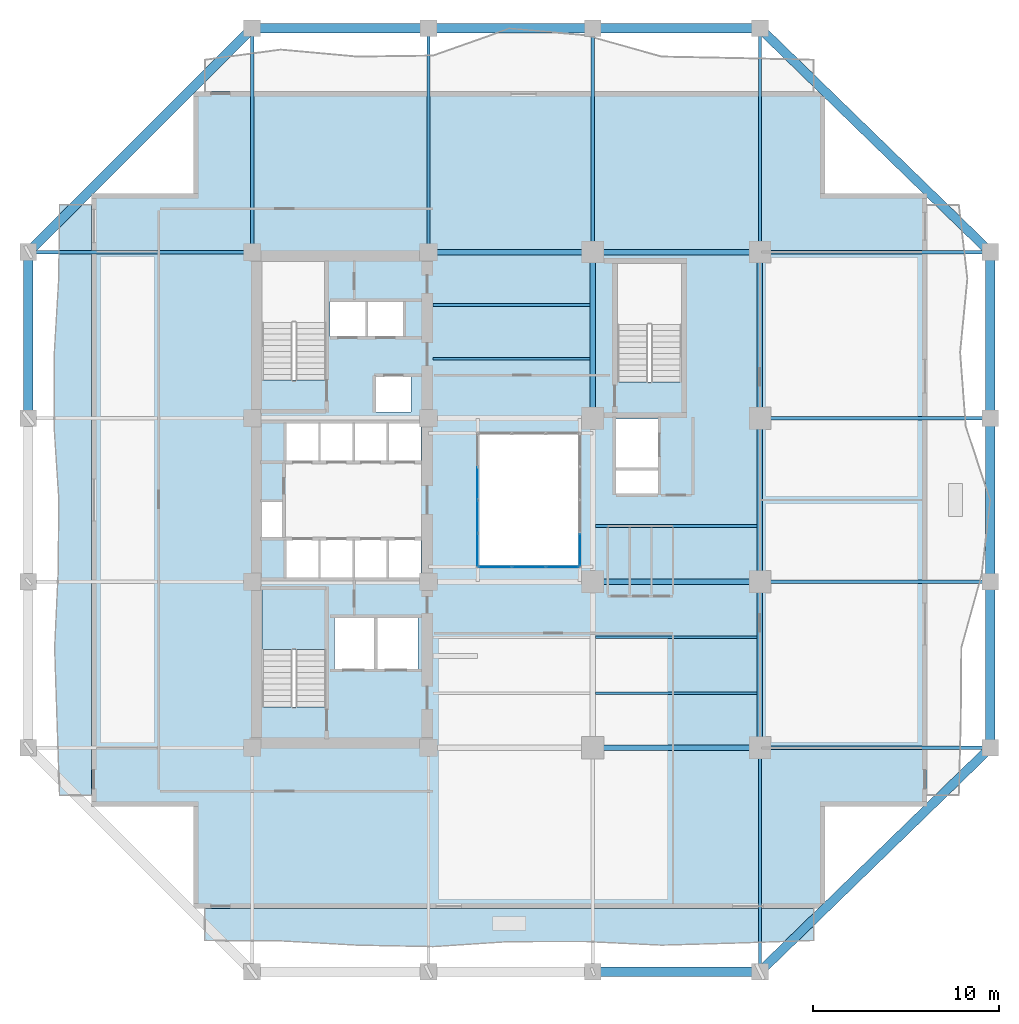
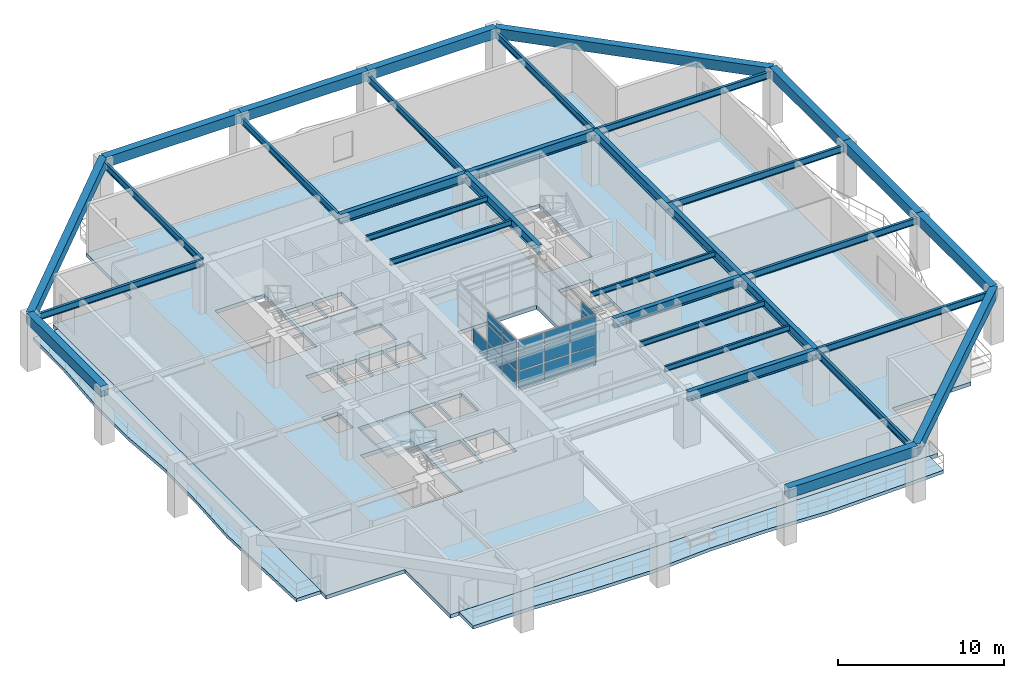
# One storey, part 5 of 17: 34 beams, 19 plates, 4 slabs, 4 elements without a shape of their own.
"""IFC4 building model written with IfcOpenShell, lengths in metres."""

from ifc_helpers import new_model, si_unit, direction, frame, origin, origin_2d, place, context, subcontext, project, spatial, polyline, rectangle, i_section, outline, extrude, material, layer, layer_set, material_profile, profile_set, type_object, element, aggregate, save


model = new_model("IFC4")

# Units and contexts
model_context = context("Model", 3, precision=1e-05, world=origin(), true_north=direction((0.0, 1.0)))
body_context = subcontext(model_context, "Body", "Model", "MODEL_VIEW")
ifc_project = project(units=[si_unit("LENGTHUNIT", "METRE"), si_unit("AREAUNIT", "SQUARE_METRE"), si_unit("VOLUMEUNIT", "CUBIC_METRE"), si_unit("PLANEANGLEUNIT", "RADIAN"), si_unit("MASSUNIT", "GRAM", prefix="KILO")], contexts=[model_context])

# Site, building, storey
site_placement = place(None, origin())
site = spatial("IfcSite", under=ifc_project, at=site_placement, CompositionType="ELEMENT")
building_placement = place(site_placement, origin())
building = spatial("IfcBuilding", under=site, at=building_placement, Name="Kundavana Baori Tower", CompositionType="ELEMENT")
storey_placement = place(building_placement, frame((0.0, 0.0, 26.0)))
storey = spatial("IfcBuildingStorey", under=building, at=storey_placement, Name="L05", CompositionType="ELEMENT", Elevation=26.0)

# Beams
ifc_material_1 = material(Name="Structural Steel S355JR", Category="steel")
ifc_material_profile_1 = material_profile(ifc_material_1, i_section(OverallWidth=0.139892578125, OverallDepth=0.39990234375, WebThickness=0.0087890625, FlangeThickness=0.01611328125, FilletRadius=0.013916015625, at=origin_2d()), Name="ISMB 400")
ifc_profile_set_1 = profile_set([ifc_material_profile_1], Name="Structural Steel S355JR")
beam_type_1 = type_object("IfcBeamType", Name="BM-JST-400", PredefinedType="JOIST", material=ifc_profile_set_1)
for number, where, z_axis, x_axis, name in (
    (1, (25.179931640625, 36.199951171875, 3.52001953125), (1.0, 0.0, 0.0), (0.0, 1.0, 0.0), "L05 Central Bay Composite Floor Joist C3"),
    (2, (25.179931640625, 39.10009765625, 3.52001953125), (1.0, 0.0, 0.0), (0.0, 1.0, 0.0), "L05 Central Bay Composite Floor Joist C4"),
):
    element("IfcBeam", number, at=place(storey_placement, frame(where, z_axis=z_axis, x_axis=x_axis)), inside=storey, type_object=beam_type_1, Name=name, PredefinedType="JOIST", context=body_context, shape_type="SweptSolid", body=[
        extrude(i_section(OverallWidth=0.139892578125, OverallDepth=0.39990234375, WebThickness=0.0087890625, FlangeThickness=0.01611328125, FilletRadius=0.013916015625, at=origin_2d()), origin(), (0.0, 0.0, 1.0), 8.469970703125),
    ])
for number, where, z_axis, x_axis, name in (
    (3, (33.949951171875, 18.199951171875, 3.52001953125), (1.0, 0.0, 0.0), (0.0, 1.0, 0.0), "L05 East Bay Composite Floor Joist E1"),
    (4, (33.949951171875, 21.199951171875, 3.52001953125), (1.0, 0.0, 0.0), (0.0, 1.0, 0.0), "L05 East Bay Composite Floor Joist E2"),
    (5, (33.949951171875, 27.199951171875, 3.52001953125), (1.0, 0.0, 0.0), (0.0, 1.0, 0.0), "L05 East Bay Composite Floor Joist E3"),
):
    element("IfcBeam", number, at=place(storey_placement, frame(where, z_axis=z_axis, x_axis=x_axis)), inside=storey, type_object=beam_type_1, Name=name, PredefinedType="JOIST", context=body_context, shape_type="SweptSolid", body=[
        extrude(i_section(OverallWidth=0.139892578125, OverallDepth=0.39990234375, WebThickness=0.0087890625, FlangeThickness=0.01611328125, FilletRadius=0.013916015625, at=origin_2d()), origin(), (0.0, 0.0, 1.0), 8.699951171875),
    ])
ifc_material_2 = material(Name="Concrete C50/60", Category="concrete")
ifc_material_profile_2 = material_profile(ifc_material_2, rectangle(XDim=0.5, YDim=0.75, at=origin_2d()), Name="RC BM 500x750")
ifc_profile_set_2 = profile_set([ifc_material_profile_2], Name="Concrete C50/60")
beam_type_2 = type_object("IfcBeamType", Name="BM-PF-750", PredefinedType="SPANDREL", material=ifc_profile_set_2)
beam_1_placement = place(storey_placement, frame((33.800048828125, 3.199951171875, 3.625), z_axis=(1.0, 0.0, 0.0), x_axis=(0.0, 1.0, 0.0)))
element("IfcBeam", 6, at=beam_1_placement, inside=storey, type_object=beam_type_2, Name="L05 Perimeter Frame Ring Beam S3", PredefinedType="SPANDREL", context=body_context, shape_type="SweptSolid", body=[
    extrude(rectangle(XDim=0.5, YDim=0.75, at=origin_2d()), origin(), (0.0, 0.0, 1.0), 9.0),
])
beam_2_placement = place(storey_placement, frame((15.449951171875, 54.0, 3.625), z_axis=(1.0, 0.0, 0.0), x_axis=(0.0, 1.0, 0.0)))
element("IfcBeam", 7, at=beam_2_placement, inside=storey, type_object=beam_type_2, Name="L05 Perimeter Frame Ring Beam N1", PredefinedType="SPANDREL", context=body_context, shape_type="SweptSolid", body=[
    extrude(rectangle(XDim=0.5, YDim=0.75, at=origin_2d()), origin(), (0.0, 0.0, 1.0), 9.5),
])
beam_3_placement = place(storey_placement, frame((24.949951171875, 54.0, 3.625), z_axis=(1.0, 0.0, 0.0), x_axis=(0.0, 1.0, 0.0)))
element("IfcBeam", 8, at=beam_3_placement, inside=storey, type_object=beam_type_2, Name="L05 Perimeter Frame Ring Beam N2", PredefinedType="SPANDREL", context=body_context, shape_type="SweptSolid", body=[
    extrude(rectangle(XDim=0.5, YDim=0.75, at=origin_2d()), origin(), (0.0, 0.0, 1.0), 8.85009765625),
])
beam_4_placement = place(storey_placement, frame((33.800048828125, 54.0, 3.625), z_axis=(1.0, 0.0, 0.0), x_axis=(0.0, 1.0, 0.0)))
element("IfcBeam", 9, at=beam_4_placement, inside=storey, type_object=beam_type_2, Name="L05 Perimeter Frame Ring Beam N3", PredefinedType="SPANDREL", context=body_context, shape_type="SweptSolid", body=[
    extrude(rectangle(XDim=0.5, YDim=0.75, at=origin_2d()), origin(), (0.0, 0.0, 1.0), 9.0),
])
for number, where, z_axis, x_axis, name in (
    (10, (3.39990234375, 33.0, 3.625), (0.0, 1.0, 0.0), (-1.0, 0.0, 0.0), "L05 Perimeter Frame Ring Beam W3"),
    (11, (55.199951171875, 15.25, 3.625), (0.0, 1.0, 0.0), (-1.0, 0.0, 0.0), "L05 Perimeter Frame Ring Beam E1"),
):
    element("IfcBeam", number, at=place(storey_placement, frame(where, z_axis=z_axis, x_axis=x_axis)), inside=storey, type_object=beam_type_2, Name=name, PredefinedType="SPANDREL", context=body_context, shape_type="SweptSolid", body=[
        extrude(rectangle(XDim=0.5, YDim=0.75, at=origin_2d()), origin(), (0.0, 0.0, 1.0), 8.949951171875),
    ])
beam_5_placement = place(storey_placement, frame((55.199951171875, 24.199951171875, 3.625), z_axis=(0.0, 1.0, 0.0), x_axis=(-1.0, 0.0, 0.0)))
element("IfcBeam", 12, at=beam_5_placement, inside=storey, type_object=beam_type_2, Name="L05 Perimeter Frame Ring Beam E2", PredefinedType="SPANDREL", context=body_context, shape_type="SweptSolid", body=[
    extrude(rectangle(XDim=0.5, YDim=0.75, at=origin_2d()), origin(), (0.0, 0.0, 1.0), 8.800048828125),
])
beam_6_placement = place(storey_placement, frame((55.199951171875, 33.0, 3.625), z_axis=(0.0, 1.0, 0.0), x_axis=(-1.0, 0.0, 0.0)))
element("IfcBeam", 13, at=beam_6_placement, inside=storey, type_object=beam_type_2, Name="L05 Perimeter Frame Ring Beam E3", PredefinedType="SPANDREL", context=body_context, shape_type="SweptSolid", body=[
    extrude(rectangle(XDim=0.5, YDim=0.75, at=origin_2d()), origin(), (0.0, 0.0, 1.0), 8.949951171875),
])
beam_7_placement = place(storey_placement, frame((42.800048828125, 3.199951171875, 3.625), z_axis=(0.717151334594, 0.696917472367, 0.0), x_axis=(-0.696917472367, 0.717151334594, 0.0)))
element("IfcBeam", 14, at=beam_7_placement, inside=storey, type_object=beam_type_2, Name="L05 Notched Corner Perimeter Beam SE", PredefinedType="SPANDREL", context=body_context, shape_type="SweptSolid", body=[
    extrude(rectangle(XDim=0.5, YDim=0.75, at=origin_2d()), origin(), (0.0, 0.0, 1.0), 17.29052734375),
])
beam_8_placement = place(storey_placement, frame((15.449951171875, 54.0, 3.625), z_axis=(-0.707106781187, -0.707106781187, 0.0), x_axis=(0.707106781187, -0.707106781187, 0.0)))
element("IfcBeam", 15, at=beam_8_placement, inside=storey, type_object=beam_type_2, Name="L05 Notched Corner Perimeter Beam NW", PredefinedType="SPANDREL", context=body_context, shape_type="SweptSolid", body=[
    extrude(rectangle(XDim=0.5, YDim=0.75, at=origin_2d()), origin(), (0.0, 0.0, 1.0), 17.041259765625),
])
beam_9_placement = place(storey_placement, frame((42.800048828125, 54.0, 3.625), z_axis=(0.717151334594, -0.696917472367, 0.0), x_axis=(0.696917472367, 0.717151334594, 0.0)))
element("IfcBeam", 16, at=beam_9_placement, inside=storey, type_object=beam_type_2, Name="L05 Notched Corner Perimeter Beam NE", PredefinedType="SPANDREL", context=body_context, shape_type="SweptSolid", body=[
    extrude(rectangle(XDim=0.5, YDim=0.75, at=origin_2d()), origin(), (0.0, 0.0, 1.0), 17.29052734375),
])
ifc_material_3 = material(Name="Structural Steel S355JR", Category="steel")
ifc_material_profile_3 = material_profile(ifc_material_3, i_section(OverallWidth=0.300048828125, OverallDepth=0.699951171875, WebThickness=0.014404296875, FlangeThickness=0.02392578125, FilletRadius=0.02392578125, at=origin_2d()), Name="NPB 700x300x170")
ifc_profile_set_3 = profile_set([ifc_material_profile_3], Name="Structural Steel S355JR")
beam_type_3 = type_object("IfcBeamType", Name="BM-ST-700", PredefinedType="BEAM", material=ifc_profile_set_3)
for number, where, z_axis, x_axis, name in (
    (17, (33.800048828125, 15.25, 3.3701171875), (1.0, 0.0, 0.0), (0.0, 1.0, 0.0), "L05 Primary Grid Girder GX-1-3"),
    (18, (33.800048828125, 24.199951171875, 3.3701171875), (1.0, 0.0, 0.0), (0.0, 1.0, 0.0), "L05 Primary Grid Girder GX-2-3"),
):
    element("IfcBeam", number, at=place(storey_placement, frame(where, z_axis=z_axis, x_axis=x_axis)), inside=storey, type_object=beam_type_3, Name=name, PredefinedType="BEAM", context=body_context, shape_type="SweptSolid", body=[
        extrude(i_section(OverallWidth=0.300048828125, OverallDepth=0.699951171875, WebThickness=0.014404296875, FlangeThickness=0.02392578125, FilletRadius=0.02392578125, at=origin_2d()), origin(), (0.0, 0.0, 1.0), 9.0),
    ])
beam_10_placement = place(storey_placement, frame((24.949951171875, 41.949951171875, 3.3701171875), z_axis=(1.0, 0.0, 0.0), x_axis=(0.0, 1.0, 0.0)))
element("IfcBeam", 19, at=beam_10_placement, inside=storey, type_object=beam_type_3, Name="L05 Primary Grid Girder GX-4-2", PredefinedType="BEAM", context=body_context, shape_type="SweptSolid", body=[
    extrude(i_section(OverallWidth=0.300048828125, OverallDepth=0.699951171875, WebThickness=0.014404296875, FlangeThickness=0.02392578125, FilletRadius=0.02392578125, at=origin_2d()), origin(), (0.0, 0.0, 1.0), 8.85009765625),
])
beam_11_placement = place(storey_placement, frame((33.800048828125, 41.949951171875, 3.3701171875), z_axis=(1.0, 0.0, 0.0), x_axis=(0.0, 1.0, 0.0)))
element("IfcBeam", 20, at=beam_11_placement, inside=storey, type_object=beam_type_3, Name="L05 Primary Grid Girder GX-4-3", PredefinedType="BEAM", context=body_context, shape_type="SweptSolid", body=[
    extrude(i_section(OverallWidth=0.300048828125, OverallDepth=0.699951171875, WebThickness=0.014404296875, FlangeThickness=0.02392578125, FilletRadius=0.02392578125, at=origin_2d()), origin(), (0.0, 0.0, 1.0), 9.0),
])
for number, where, z_axis, x_axis, name in (
    (21, (33.800048828125, 33.0, 3.3701171875), (0.0, 1.0, 0.0), (-1.0, 0.0, 0.0), "L05 Primary Grid Girder GY-3-3"),
    (22, (42.800048828125, 15.25, 3.3701171875), (0.0, 1.0, 0.0), (-1.0, 0.0, 0.0), "L05 Primary Grid Girder GY-4-1"),
):
    element("IfcBeam", number, at=place(storey_placement, frame(where, z_axis=z_axis, x_axis=x_axis)), inside=storey, type_object=beam_type_3, Name=name, PredefinedType="BEAM", context=body_context, shape_type="SweptSolid", body=[
        extrude(i_section(OverallWidth=0.300048828125, OverallDepth=0.699951171875, WebThickness=0.014404296875, FlangeThickness=0.02392578125, FilletRadius=0.02392578125, at=origin_2d()), origin(), (0.0, 0.0, 1.0), 8.949951171875),
    ])
beam_12_placement = place(storey_placement, frame((42.800048828125, 24.199951171875, 3.3701171875), z_axis=(0.0, 1.0, 0.0), x_axis=(-1.0, 0.0, 0.0)))
element("IfcBeam", 23, at=beam_12_placement, inside=storey, type_object=beam_type_3, Name="L05 Primary Grid Girder GY-4-2", PredefinedType="BEAM", context=body_context, shape_type="SweptSolid", body=[
    extrude(i_section(OverallWidth=0.300048828125, OverallDepth=0.699951171875, WebThickness=0.014404296875, FlangeThickness=0.02392578125, FilletRadius=0.02392578125, at=origin_2d()), origin(), (0.0, 0.0, 1.0), 8.800048828125),
])
beam_13_placement = place(storey_placement, frame((42.800048828125, 33.0, 3.3701171875), z_axis=(0.0, 1.0, 0.0), x_axis=(-1.0, 0.0, 0.0)))
element("IfcBeam", 24, at=beam_13_placement, inside=storey, type_object=beam_type_3, Name="L05 Primary Grid Girder GY-4-3", PredefinedType="BEAM", context=body_context, shape_type="SweptSolid", body=[
    extrude(i_section(OverallWidth=0.300048828125, OverallDepth=0.699951171875, WebThickness=0.014404296875, FlangeThickness=0.02392578125, FilletRadius=0.02392578125, at=origin_2d()), origin(), (0.0, 0.0, 1.0), 8.949951171875),
])
ifc_material_4 = material(Name="Structural Steel S355JR", Category="steel")
ifc_material_profile_4 = material_profile(ifc_material_4, i_section(OverallWidth=0.179931640625, OverallDepth=0.5, WebThickness=0.01025390625, FlangeThickness=0.01708984375, FilletRadius=0.01708984375, at=origin_2d()), Name="ISMB 500")
ifc_profile_set_4 = profile_set([ifc_material_profile_4], Name="Structural Steel S355JR")
beam_type_4 = type_object("IfcBeamType", Name="BM-TIE-500", PredefinedType="BEAM", material=ifc_profile_set_4)
for number, where, z_axis, x_axis, name in (
    (25, (15.449951171875, 41.949951171875, 3.469970703125), (0.0, 1.0, 0.0), (-1.0, 0.0, 0.0), "L05 North Radial Loggia Tie Beam N1"),
    (26, (24.949951171875, 41.949951171875, 3.469970703125), (0.0, 1.0, 0.0), (-1.0, 0.0, 0.0), "L05 North Radial Loggia Tie Beam N2"),
    (27, (33.800048828125, 41.949951171875, 3.469970703125), (0.0, 1.0, 0.0), (-1.0, 0.0, 0.0), "L05 North Radial Loggia Tie Beam N3"),
    (28, (42.800048828125, 15.25, 3.469970703125), (0.0, -1.0, 0.0), (1.0, 0.0, 0.0), "L05 South Radial Loggia Tie Beam S4"),
    (29, (42.800048828125, 41.949951171875, 3.469970703125), (0.0, 1.0, 0.0), (-1.0, 0.0, 0.0), "L05 North Radial Loggia Tie Beam N4"),
):
    element("IfcBeam", number, at=place(storey_placement, frame(where, z_axis=z_axis, x_axis=x_axis)), inside=storey, type_object=beam_type_4, Name=name, PredefinedType="BEAM", context=body_context, shape_type="SweptSolid", body=[
        extrude(i_section(OverallWidth=0.179931640625, OverallDepth=0.5, WebThickness=0.01025390625, FlangeThickness=0.01708984375, FilletRadius=0.01708984375, at=origin_2d()), origin(), (0.0, 0.0, 1.0), 12.050048828125),
    ])
for number, where, z_axis, x_axis, name in (
    (30, (42.800048828125, 15.25, 3.469970703125), (1.0, 0.0, 0.0), (0.0, 1.0, 0.0), "L05 East Radial Loggia Tie Beam E1"),
    (31, (42.800048828125, 24.199951171875, 3.469970703125), (1.0, 0.0, 0.0), (0.0, 1.0, 0.0), "L05 East Radial Loggia Tie Beam E2"),
    (32, (42.800048828125, 33.0, 3.469970703125), (1.0, 0.0, 0.0), (0.0, 1.0, 0.0), "L05 East Radial Loggia Tie Beam E3"),
):
    element("IfcBeam", number, at=place(storey_placement, frame(where, z_axis=z_axis, x_axis=x_axis)), inside=storey, type_object=beam_type_4, Name=name, PredefinedType="BEAM", context=body_context, shape_type="SweptSolid", body=[
        extrude(i_section(OverallWidth=0.179931640625, OverallDepth=0.5, WebThickness=0.01025390625, FlangeThickness=0.01708984375, FilletRadius=0.01708984375, at=origin_2d()), origin(), (0.0, 0.0, 1.0), 12.39990234375),
    ])
beam_14_placement = place(storey_placement, frame((15.449951171875, 41.949951171875, 3.469970703125), z_axis=(-1.0, 0.0, 0.0), x_axis=(0.0, -1.0, 0.0)))
element("IfcBeam", 33, at=beam_14_placement, inside=storey, type_object=beam_type_4, Name="L05 West Radial Loggia Tie Beam W4", PredefinedType="BEAM", context=body_context, shape_type="SweptSolid", body=[
    extrude(i_section(OverallWidth=0.179931640625, OverallDepth=0.5, WebThickness=0.01025390625, FlangeThickness=0.01708984375, FilletRadius=0.01708984375, at=origin_2d()), origin(), (0.0, 0.0, 1.0), 12.050048828125),
])
beam_15_placement = place(storey_placement, frame((42.800048828125, 41.949951171875, 3.469970703125), z_axis=(1.0, 0.0, 0.0), x_axis=(0.0, 1.0, 0.0)))
element("IfcBeam", 34, at=beam_15_placement, inside=storey, type_object=beam_type_4, Name="L05 East Radial Loggia Tie Beam E4", PredefinedType="BEAM", context=body_context, shape_type="SweptSolid", body=[
    extrude(i_section(OverallWidth=0.179931640625, OverallDepth=0.5, WebThickness=0.01025390625, FlangeThickness=0.01708984375, FilletRadius=0.01708984375, at=origin_2d()), origin(), (0.0, 0.0, 1.0), 12.39990234375),
])

# Curtain wall, plates
ifc_material_5 = material(Name="Thermally Broken Anodised Aluminium Framing", Category="aluminium")
ifc_layer_1 = layer(ifc_material_5, 0.18994140625, Name="CW-SYS-3")
ifc_layer_set_1 = layer_set([ifc_layer_1], Name="Thermally Broken Anodised Aluminium Framing")
curtain_wall_type = type_object("IfcCurtainWallType", Name="CW-SYS-3", PredefinedType="NOTDEFINED", material=ifc_layer_set_1)
curtain_wall_1_placement = place(storey_placement, origin())
curtain_wall_1 = element("IfcCurtainWall", 35, at=curtain_wall_1_placement, inside=storey, type_object=curtain_wall_type, Name="L05 Atrium Glazed Curtain Wall S", PredefinedType="NOTDEFINED")
ifc_material_6 = material(Name="Double-Glazed Solar-Control Low-E Insulated Glass", Category="glass")
ifc_layer_2 = layer(ifc_material_6, 0.028076171875, Name="CW-PNL-GLS28")
ifc_layer_set_2 = layer_set([ifc_layer_2], Name="Double-Glazed Solar-Control Low-E Insulated Glass")
plate_type = type_object("IfcPlateType", Name="CW-PNL-GLS28", PredefinedType="CURTAIN_PANEL", material=ifc_layer_set_2)
plate_1_placement = place(storey_placement, frame((28.532958984375, 25.0, 0.06494140625), z_axis=(0.0, 0.0, 1.0), x_axis=(1.0, 0.0, 0.0)))
plate_1 = element("IfcPlate", 36, at=plate_1_placement, type_object=plate_type, Name="CW3 panel 1.1", PredefinedType="CURTAIN_PANEL", context=body_context, shape_type="SweptSolid", body=[
    extrude(rectangle(XDim=1.73583984375, YDim=0.028076171875, at=origin_2d()), origin(), (0.0, 0.0, 1.0), 1.316162109375),
])
plate_2_placement = place(storey_placement, frame((28.532958984375, 25.0, 1.4462890625), z_axis=(0.0, 0.0, 1.0), x_axis=(1.0, 0.0, 0.0)))
plate_2 = element("IfcPlate", 37, at=plate_2_placement, type_object=plate_type, Name="CW3 panel 1.2", PredefinedType="CURTAIN_PANEL", context=body_context, shape_type="SweptSolid", body=[
    extrude(rectangle(XDim=1.73583984375, YDim=0.028076171875, at=origin_2d()), origin(), (0.0, 0.0, 1.0), 1.274169921875),
])
plate_3_placement = place(storey_placement, frame((28.532958984375, 25.0, 2.785400390625), z_axis=(0.0, 0.0, 1.0), x_axis=(1.0, 0.0, 0.0)))
plate_3 = element("IfcPlate", 38, at=plate_3_placement, type_object=plate_type, Name="CW3 panel 1.3", PredefinedType="CURTAIN_PANEL", context=body_context, shape_type="SweptSolid", body=[
    extrude(rectangle(XDim=1.73583984375, YDim=0.028076171875, at=origin_2d()), origin(), (0.0, 0.0, 1.0), 0.86962890625),
])
plate_4_placement = place(storey_placement, frame((30.35009765625, 25.0, 0.06494140625), z_axis=(0.0, 0.0, 1.0), x_axis=(1.0, 0.0, 0.0)))
plate_4 = element("IfcPlate", 39, at=plate_4_placement, type_object=plate_type, Name="CW3 panel 2.1", PredefinedType="CURTAIN_PANEL", context=body_context, shape_type="SweptSolid", body=[
    extrude(rectangle(XDim=1.768310546875, YDim=0.028076171875, at=origin_2d()), origin(), (0.0, 0.0, 1.0), 1.316162109375),
])
plate_5_placement = place(storey_placement, frame((30.35009765625, 25.0, 1.4462890625), z_axis=(0.0, 0.0, 1.0), x_axis=(1.0, 0.0, 0.0)))
plate_5 = element("IfcPlate", 40, at=plate_5_placement, type_object=plate_type, Name="CW3 panel 2.2", PredefinedType="CURTAIN_PANEL", context=body_context, shape_type="SweptSolid", body=[
    extrude(rectangle(XDim=1.768310546875, YDim=0.028076171875, at=origin_2d()), origin(), (0.0, 0.0, 1.0), 1.274169921875),
])
plate_6_placement = place(storey_placement, frame((30.35009765625, 25.0, 2.785400390625), z_axis=(0.0, 0.0, 1.0), x_axis=(1.0, 0.0, 0.0)))
plate_6 = element("IfcPlate", 41, at=plate_6_placement, type_object=plate_type, Name="CW3 panel 2.3", PredefinedType="CURTAIN_PANEL", context=body_context, shape_type="SweptSolid", body=[
    extrude(rectangle(XDim=1.768310546875, YDim=0.028076171875, at=origin_2d()), origin(), (0.0, 0.0, 1.0), 0.86962890625),
])
plate_7_placement = place(storey_placement, frame((32.1669921875, 25.0, 0.06494140625), z_axis=(0.0, 0.0, 1.0), x_axis=(1.0, 0.0, 0.0)))
plate_7 = element("IfcPlate", 42, at=plate_7_placement, type_object=plate_type, Name="CW3 panel 3.1", PredefinedType="CURTAIN_PANEL", context=body_context, shape_type="SweptSolid", body=[
    extrude(rectangle(XDim=1.73583984375, YDim=0.028076171875, at=origin_2d()), origin(), (0.0, 0.0, 1.0), 1.316162109375),
])
plate_8_placement = place(storey_placement, frame((32.1669921875, 25.0, 1.4462890625), z_axis=(0.0, 0.0, 1.0), x_axis=(1.0, 0.0, 0.0)))
plate_8 = element("IfcPlate", 43, at=plate_8_placement, type_object=plate_type, Name="CW3 panel 3.2", PredefinedType="CURTAIN_PANEL", context=body_context, shape_type="SweptSolid", body=[
    extrude(rectangle(XDim=1.73583984375, YDim=0.028076171875, at=origin_2d()), origin(), (0.0, 0.0, 1.0), 1.274169921875),
])
plate_9_placement = place(storey_placement, frame((32.1669921875, 25.0, 2.785400390625), z_axis=(0.0, 0.0, 1.0), x_axis=(1.0, 0.0, 0.0)))
plate_9 = element("IfcPlate", 44, at=plate_9_placement, type_object=plate_type, Name="CW3 panel 3.3", PredefinedType="CURTAIN_PANEL", context=body_context, shape_type="SweptSolid", body=[
    extrude(rectangle(XDim=1.73583984375, YDim=0.028076171875, at=origin_2d()), origin(), (0.0, 0.0, 1.0), 0.86962890625),
])
aggregate(curtain_wall_1, [plate_1, plate_2, plate_3, plate_4, plate_5, plate_6, plate_7, plate_8, plate_9])

curtain_wall_2_placement = place(storey_placement, origin())
curtain_wall_2 = element("IfcCurtainWall", 45, at=curtain_wall_2_placement, inside=storey, type_object=curtain_wall_type, Name="L05 Atrium Glazed Curtain Wall E", PredefinedType="NOTDEFINED")
plate_10_placement = place(storey_placement, frame((33.10009765625, 25.916259765625, 0.06494140625), z_axis=(0.0, 0.0, 1.0), x_axis=(0.0, 1.0, 0.0)))
plate_10 = element("IfcPlate", 46, at=plate_10_placement, type_object=plate_type, Name="CW3 panel 1.1", PredefinedType="CURTAIN_PANEL", context=body_context, shape_type="SweptSolid", body=[
    extrude(rectangle(XDim=1.702392578125, YDim=0.028076171875, at=origin_2d()), origin(), (0.0, 0.0, 1.0), 1.316162109375),
])
plate_11_placement = place(storey_placement, frame((33.10009765625, 25.916259765625, 1.4462890625), z_axis=(0.0, 0.0, 1.0), x_axis=(0.0, 1.0, 0.0)))
plate_11 = element("IfcPlate", 47, at=plate_11_placement, type_object=plate_type, Name="CW3 panel 1.2", PredefinedType="CURTAIN_PANEL", context=body_context, shape_type="SweptSolid", body=[
    extrude(rectangle(XDim=1.702392578125, YDim=0.028076171875, at=origin_2d()), origin(), (0.0, 0.0, 1.0), 1.274169921875),
])
plate_12_placement = place(storey_placement, frame((33.10009765625, 25.916259765625, 2.785400390625), z_axis=(0.0, 0.0, 1.0), x_axis=(0.0, 1.0, 0.0)))
plate_12 = element("IfcPlate", 48, at=plate_12_placement, type_object=plate_type, Name="CW3 panel 1.3", PredefinedType="CURTAIN_PANEL", context=body_context, shape_type="SweptSolid", body=[
    extrude(rectangle(XDim=1.702392578125, YDim=0.028076171875, at=origin_2d()), origin(), (0.0, 0.0, 1.0), 0.86962890625),
])
aggregate(curtain_wall_2, [plate_10, plate_11, plate_12])

curtain_wall_3_placement = place(storey_placement, origin())
curtain_wall_3 = element("IfcCurtainWall", 49, at=curtain_wall_3_placement, inside=storey, type_object=curtain_wall_type, Name="L05 Atrium Glazed Curtain Wall W", PredefinedType="NOTDEFINED")
plate_13_placement = place(storey_placement, frame((27.60009765625, 29.5, 0.06494140625), z_axis=(0.0, 0.0, 1.0), x_axis=(0.0, -1.0, 0.0)))
plate_13 = element("IfcPlate", 50, at=plate_13_placement, type_object=plate_type, Name="CW3 panel 2.1", PredefinedType="CURTAIN_PANEL", context=body_context, shape_type="SweptSolid", body=[
    extrude(rectangle(XDim=1.735107421875, YDim=0.028076171875, at=origin_2d()), origin(), (0.0, 0.0, 1.0), 1.316162109375),
])
plate_14_placement = place(storey_placement, frame((27.60009765625, 27.699951171875, 0.06494140625), z_axis=(0.0, 0.0, 1.0), x_axis=(0.0, -1.0, 0.0)))
plate_14 = element("IfcPlate", 51, at=plate_14_placement, type_object=plate_type, Name="CW3 panel 3.1", PredefinedType="CURTAIN_PANEL", context=body_context, shape_type="SweptSolid", body=[
    extrude(rectangle(XDim=1.735107421875, YDim=0.028076171875, at=origin_2d()), origin(), (0.0, 0.0, 1.0), 1.316162109375),
])
plate_15_placement = place(storey_placement, frame((27.60009765625, 27.699951171875, 1.4462890625), z_axis=(0.0, 0.0, 1.0), x_axis=(0.0, -1.0, 0.0)))
plate_15 = element("IfcPlate", 52, at=plate_15_placement, type_object=plate_type, Name="CW3 panel 3.2", PredefinedType="CURTAIN_PANEL", context=body_context, shape_type="SweptSolid", body=[
    extrude(rectangle(XDim=1.735107421875, YDim=0.028076171875, at=origin_2d()), origin(), (0.0, 0.0, 1.0), 1.274169921875),
])
plate_16_placement = place(storey_placement, frame((27.60009765625, 27.699951171875, 2.785400390625), z_axis=(0.0, 0.0, 1.0), x_axis=(0.0, -1.0, 0.0)))
plate_16 = element("IfcPlate", 53, at=plate_16_placement, type_object=plate_type, Name="CW3 panel 3.3", PredefinedType="CURTAIN_PANEL", context=body_context, shape_type="SweptSolid", body=[
    extrude(rectangle(XDim=1.735107421875, YDim=0.028076171875, at=origin_2d()), origin(), (0.0, 0.0, 1.0), 0.86962890625),
])
plate_17_placement = place(storey_placement, frame((27.60009765625, 25.916259765625, 0.06494140625), z_axis=(0.0, 0.0, 1.0), x_axis=(0.0, -1.0, 0.0)))
plate_17 = element("IfcPlate", 54, at=plate_17_placement, type_object=plate_type, Name="CW3 panel 4.1", PredefinedType="CURTAIN_PANEL", context=body_context, shape_type="SweptSolid", body=[
    extrude(rectangle(XDim=1.702392578125, YDim=0.028076171875, at=origin_2d()), origin(), (0.0, 0.0, 1.0), 1.316162109375),
])
plate_18_placement = place(storey_placement, frame((27.60009765625, 25.916259765625, 1.4462890625), z_axis=(0.0, 0.0, 1.0), x_axis=(0.0, -1.0, 0.0)))
plate_18 = element("IfcPlate", 55, at=plate_18_placement, type_object=plate_type, Name="CW3 panel 4.2", PredefinedType="CURTAIN_PANEL", context=body_context, shape_type="SweptSolid", body=[
    extrude(rectangle(XDim=1.702392578125, YDim=0.028076171875, at=origin_2d()), origin(), (0.0, 0.0, 1.0), 1.274169921875),
])
plate_19_placement = place(storey_placement, frame((27.60009765625, 25.916259765625, 2.785400390625), z_axis=(0.0, 0.0, 1.0), x_axis=(0.0, -1.0, 0.0)))
plate_19 = element("IfcPlate", 56, at=plate_19_placement, type_object=plate_type, Name="CW3 panel 4.3", PredefinedType="CURTAIN_PANEL", context=body_context, shape_type="SweptSolid", body=[
    extrude(rectangle(XDim=1.702392578125, YDim=0.028076171875, at=origin_2d()), origin(), (0.0, 0.0, 1.0), 0.86962890625),
])
aggregate(curtain_wall_3, [plate_13, plate_14, plate_15, plate_16, plate_17, plate_18, plate_19])

# Slab
ifc_material_7 = material(Name="Concrete C40/50", Category="concrete")
ifc_layer_3 = layer(ifc_material_7, 0.280029296875, Name="SLB-FLR-280")
ifc_layer_set_3 = layer_set([ifc_layer_3], Name="Concrete C40/50")
slab_type_1 = type_object("IfcSlabType", Name="SLB-FLR-280", PredefinedType="FLOOR", material=ifc_layer_set_3)
slab_1_placement = place(storey_placement, frame((0.0, 0.0, -0.280029296875)))
element("IfcSlab", 57, at=slab_1_placement, inside=storey, type_object=slab_type_1, Name="L05 Structural Floor Slab", PredefinedType="FLOOR", context=body_context, shape_type="SweptSolid", body=[
    extrude(outline(polyline([(12.300048828125, 6.60009765625), (46.300048828125, 6.60009765625), (46.300048828125, 12.10009765625), (51.800048828125, 12.10009765625), (51.800048828125, 45.10009765625), (46.300048828125, 45.10009765625), (46.300048828125, 50.60009765625), (12.300048828125, 50.60009765625), (12.300048828125, 45.10009765625), (6.800048828125, 45.10009765625), (6.800048828125, 12.10009765625), (12.300048828125, 12.10009765625), (12.300048828125, 6.60009765625)]), holes=[polyline([(19.43994140625, 17.4619140625), (19.43994140625, 23.85009765625), (15.97998046875, 23.85009765625), (15.97998046875, 17.4619140625), (19.43994140625, 17.4619140625)]), polyline([(19.43994140625, 35.06201171875), (19.43994140625, 41.449951171875), (15.97998046875, 41.449951171875), (15.97998046875, 35.06201171875), (19.43994140625, 35.06201171875)]), polyline([(38.580078125, 34.9619140625), (38.580078125, 41.35009765625), (35.1201171875, 41.35009765625), (35.1201171875, 34.9619140625), (38.580078125, 34.9619140625)]), polyline([(17.300048828125, 24.39990234375), (19.02001953125, 24.39990234375), (19.02001953125, 26.449951171875), (17.300048828125, 26.449951171875), (17.300048828125, 24.39990234375)]), polyline([(19.139892578125, 24.39990234375), (20.860107421875, 24.39990234375), (20.860107421875, 26.449951171875), (19.139892578125, 26.449951171875), (19.139892578125, 24.39990234375)]), polyline([(20.97998046875, 24.39990234375), (22.699951171875, 24.39990234375), (22.699951171875, 26.449951171875), (20.97998046875, 26.449951171875), (20.97998046875, 24.39990234375)]), polyline([(22.820068359375, 24.39990234375), (24.5400390625, 24.39990234375), (24.5400390625, 26.449951171875), (22.820068359375, 26.449951171875), (22.820068359375, 24.39990234375)]), polyline([(17.300048828125, 30.699951171875), (19.02001953125, 30.699951171875), (19.02001953125, 32.75), (17.300048828125, 32.75), (17.300048828125, 30.699951171875)]), polyline([(19.139892578125, 30.699951171875), (20.860107421875, 30.699951171875), (20.860107421875, 32.75), (19.139892578125, 32.75), (19.139892578125, 30.699951171875)]), polyline([(20.97998046875, 30.699951171875), (22.699951171875, 30.699951171875), (22.699951171875, 32.75), (20.97998046875, 32.75), (20.97998046875, 30.699951171875)]), polyline([(22.820068359375, 30.699951171875), (24.5400390625, 30.699951171875), (24.5400390625, 32.75), (22.820068359375, 32.75), (22.820068359375, 30.699951171875)]), polyline([(19.64990234375, 37.39990234375), (21.550048828125, 37.39990234375), (21.550048828125, 39.300048828125), (19.64990234375, 39.300048828125), (19.64990234375, 37.39990234375)]), polyline([(21.699951171875, 37.39990234375), (23.60009765625, 37.39990234375), (23.60009765625, 39.300048828125), (21.699951171875, 39.300048828125), (21.699951171875, 37.39990234375)]), polyline([(22.10009765625, 33.35009765625), (24.0, 33.35009765625), (24.0, 35.25), (22.10009765625, 35.25), (22.10009765625, 33.35009765625)]), polyline([(19.8798828125, 19.5), (22.02001953125, 19.5), (22.02001953125, 22.25), (19.8798828125, 22.25), (19.8798828125, 19.5)]), polyline([(22.179931640625, 19.5), (24.3798828125, 19.5), (24.3798828125, 22.25), (22.179931640625, 22.25), (22.179931640625, 19.5)]), polyline([(35.050048828125, 30.35009765625), (37.300048828125, 30.35009765625), (37.300048828125, 32.949951171875), (35.050048828125, 32.949951171875), (35.050048828125, 30.35009765625)]), polyline([(15.949951171875, 26.60009765625), (17.080078125, 26.60009765625), (17.080078125, 28.5), (15.949951171875, 28.5), (15.949951171875, 26.60009765625)]), polyline([(35.050048828125, 28.949951171875), (37.300048828125, 28.949951171875), (37.300048828125, 30.199951171875), (35.050048828125, 30.199951171875), (35.050048828125, 28.949951171875)]), polyline([(27.60009765625, 25.0), (33.10009765625, 25.0), (33.10009765625, 32.199951171875), (27.60009765625, 32.199951171875), (27.60009765625, 25.0)])]), origin(), (0.0, 0.0, 1.0), 0.280029296875),
])

# Stair, slab
ifc_material_8 = material(Name="Concrete C40/50", Category="concrete")
stair_type = type_object("IfcStairType", Name="STR-DOG-1650", PredefinedType="HALF_TURN_STAIR", material=ifc_material_8)
stair_placement = place(storey_placement, origin())
stair = element("IfcStair", 58, at=stair_placement, inside=storey, type_object=stair_type, Name="L05 Protected Exit Stair ST1", PredefinedType="HALF_TURN_STAIR")
ifc_material_9 = material(Name="Concrete C40/50", Category="concrete")
ifc_layer_4 = layer(ifc_material_9, 0.199951171875, Name="SLB-LND-200")
ifc_layer_set_4 = layer_set([ifc_layer_4], Name="Concrete C40/50")
slab_type_2 = type_object("IfcSlabType", Name="SLB-LND-200", PredefinedType="LANDING", material=ifc_layer_set_4)
slab_2_placement = place(storey_placement, frame((0.0, 0.0, 1.800048828125)))
slab_2 = element("IfcSlab", 59, at=slab_2_placement, type_object=slab_type_2, Name="ST1 landing 1", PredefinedType="LANDING", context=body_context, shape_type="SweptSolid", body=[
    extrude(outline(polyline([(19.43994140625, 20.550048828125), (19.43994140625, 23.85009765625), (15.97998046875, 23.85009765625), (15.97998046875, 20.550048828125), (19.43994140625, 20.550048828125)])), origin(), (0.0, 0.0, 1.0), 0.199951171875),
])
aggregate(stair, [slab_2])

# Slabs
ifc_material_10 = material(Name="Concrete C40/50", Category="concrete")
ifc_layer_5 = layer(ifc_material_10, 0.239990234375, Name="SLB-LOG-240")
ifc_layer_set_5 = layer_set([ifc_layer_5], Name="Concrete C40/50")
slab_type_3 = type_object("IfcSlabType", Name="SLB-LOG-240", PredefinedType="FLOOR", material=ifc_layer_set_5)
slab_3_placement = place(storey_placement, frame((0.0, 0.0, -0.239990234375)))
element("IfcSlab", 60, at=slab_3_placement, inside=storey, type_object=slab_type_3, Name="L05 Planted Loggia Balcony Slab S", PredefinedType="FLOOR", context=body_context, shape_type="SweptSolid", body=[
    extrude(outline(polyline([(12.89990234375, 6.60009765625), (45.699951171875, 6.60009765625), (45.699951171875, 4.8798828125), (41.60009765625, 4.742919921875), (37.5, 4.626953125), (33.39990234375, 4.822998046875), (29.300048828125, 4.818115234375), (25.199951171875, 4.549072265625), (21.10009765625, 4.626953125), (17.0, 4.85595703125), (12.89990234375, 4.8798828125), (12.89990234375, 6.60009765625)])), origin(), (0.0, 0.0, 1.0), 0.239990234375),
])
slab_4_placement = place(storey_placement, frame((0.0, 0.0, -0.239990234375)))
element("IfcSlab", 61, at=slab_4_placement, inside=storey, type_object=slab_type_3, Name="L05 Planted Loggia Balcony Slab W", PredefinedType="FLOOR", context=body_context, shape_type="SweptSolid", body=[
    extrude(outline(polyline([(6.800048828125, 44.5), (6.800048828125, 12.699951171875), (5.080078125, 12.699951171875), (4.946044921875, 16.675048828125), (4.81689453125, 20.64990234375), (5.001953125, 24.625), (5.0439453125, 28.60009765625), (4.784912109375, 32.574951171875), (4.801025390625, 36.550048828125), (5.034912109375, 40.52490234375), (5.080078125, 44.5), (6.800048828125, 44.5)])), origin(), (0.0, 0.0, 1.0), 0.239990234375),
])

save(model, "model.ifc")
